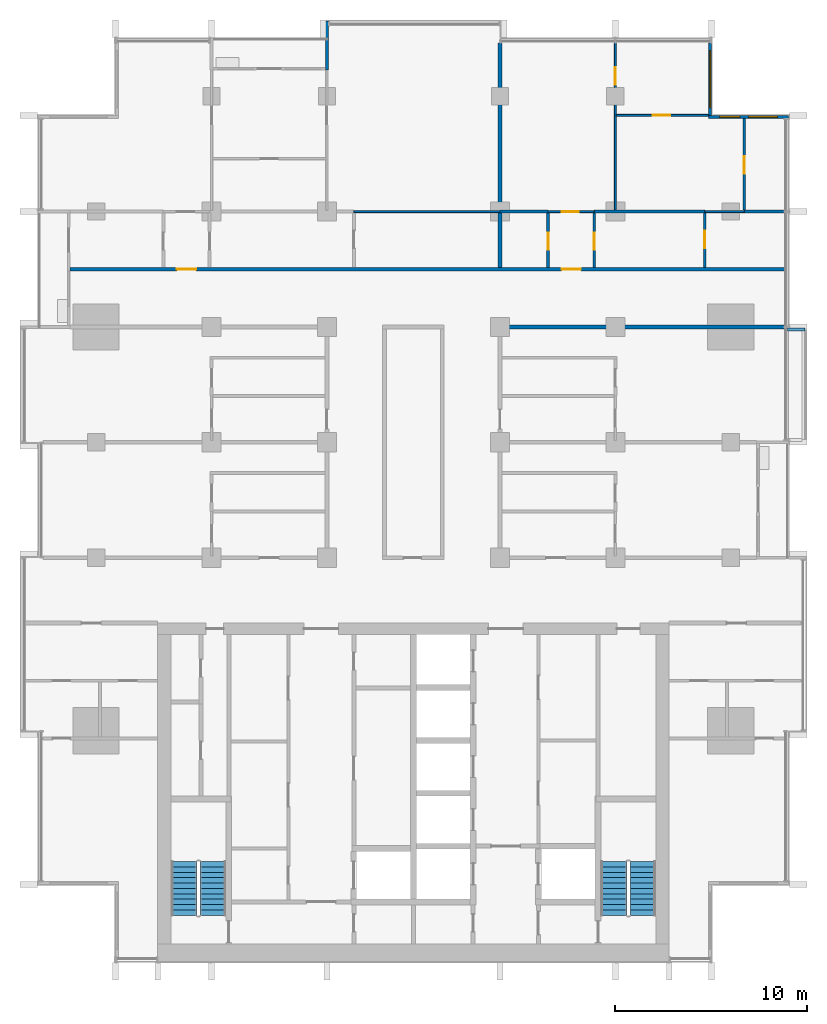
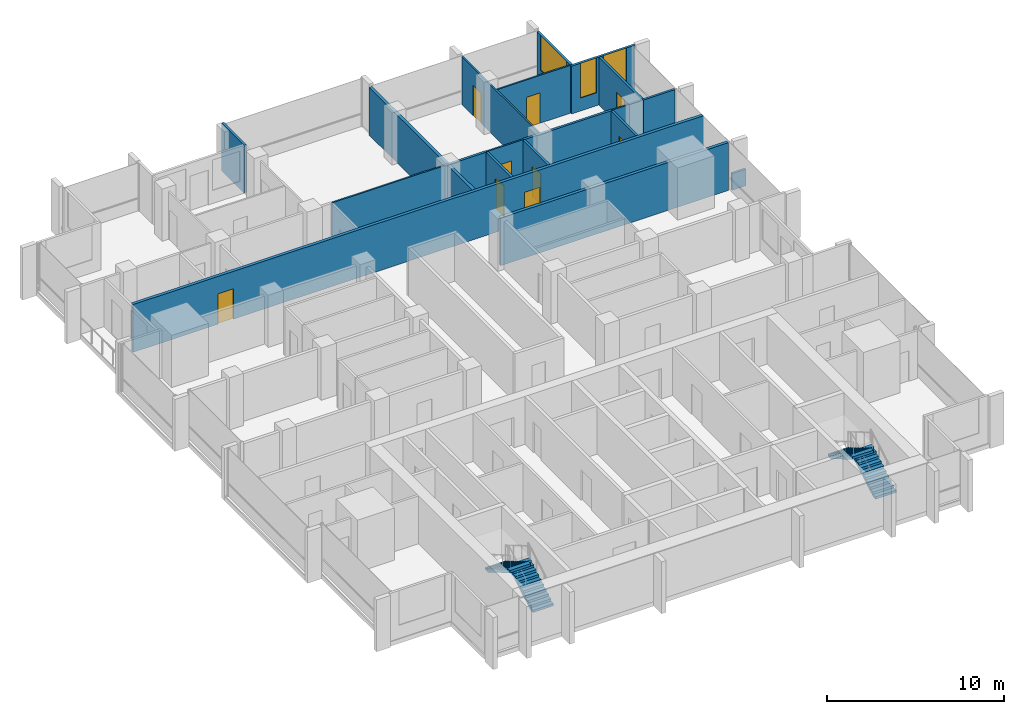
# One storey, part 11 of 16: 20 walls, 9 doors, 4 stair flights, 3 windows, 12 openings, 2 elements without a shape of their own.
"""IFC4 building model written with IfcOpenShell, lengths in metres."""

import ifcopenshell
import ifcopenshell.guid

model = None  # the IFC model being written
_history = None  # IfcOwnerHistory: only IFC2X3 demands one
_inside = {}  # id of a spatial element -> (the spatial element, [elements in it])
_under = {}  # id of a project, library or spatial element -> (it, [spatial elements below it])
_declared = {}  # id of a project -> (the project, [libraries it declares])
_typed = {}  # id of a type object -> (the type object, [elements of that type])
_made_of = {}  # id of a material, layer set ... -> (it, [elements and type objects made of it])


def new_model(schema):
    """Start an empty IFC model of exactly this schema.

    Asked for "IFC4X3", IfcOpenShell would pick the latest addendum, in which some entities
    have other attributes; the version numbers below select the first issue.
    IFC2X3 requires an IfcOwnerHistory on every rooted entity: one is made here for all.
    """
    global model, _history
    if schema == "IFC4X3":
        model = ifcopenshell.file(schema_version=(4, 3, 0, 0))
    else:
        model = ifcopenshell.file(schema=schema)
    _inside.clear()
    _under.clear()
    _declared.clear()
    _typed.clear()
    _made_of.clear()
    _history = None
    if model.schema == "IFC2X3":
        org = make("IfcOrganization", Name="unknown")
        user = make(
            "IfcPersonAndOrganization",
            ThePerson=make("IfcPerson", FamilyName="unknown"),
            TheOrganization=org,
        )
        app = make(
            "IfcApplication",
            ApplicationDeveloper=org,
            Version="unknown",
            ApplicationFullName="unknown",
            ApplicationIdentifier="unknown",
        )
        _history = make(
            "IfcOwnerHistory",
            OwningUser=user,
            OwningApplication=app,
            ChangeAction="ADDED",
            CreationDate=0,
        )
    return model


def make(cls, **values):
    """One entity of the class cls with the attributes given. An attribute that is None is left unset."""
    return model.create_entity(
        cls, **{name: value for name, value in values.items() if value is not None}
    )


def rooted(cls, **values):
    """An entity with a GlobalId (a new one), such as an element, a storey or a relation."""
    return make(cls, GlobalId=ifcopenshell.guid.new(), OwnerHistory=_history, **values)


def si_unit(unit_type, name, prefix=None):
    """IfcSIUnit, for example si_unit("LENGTHUNIT", "METRE", prefix="MILLI")."""
    return make("IfcSIUnit", UnitType=unit_type, Prefix=prefix, Name=name)


def assignment(units):
    """IfcUnitAssignment: the units of a project."""
    return None if units is None else make("IfcUnitAssignment", Units=units)


def point(xyz):
    """IfcCartesianPoint."""
    return None if xyz is None else make("IfcCartesianPoint", Coordinates=xyz)


def direction(xyz):
    """IfcDirection."""
    return None if xyz is None else make("IfcDirection", DirectionRatios=xyz)


def frame(location, z_axis=None, x_axis=None):
    """IfcAxis2Placement3D, a coordinate frame: its origin and axes. An axis left out is left unset."""
    return make(
        "IfcAxis2Placement3D",
        Location=point(location),
        Axis=direction(z_axis),
        RefDirection=direction(x_axis),
    )


def frame_2d(location, x_axis=None):
    """IfcAxis2Placement2D, a coordinate frame in the plane: its origin and x axis."""
    return make(
        "IfcAxis2Placement2D", Location=point(location), RefDirection=direction(x_axis)
    )


def origin():
    """The frame at (0, 0, 0) with its axes left unset."""
    return frame((0.0, 0.0, 0.0))


def place(relative_to, where):
    """IfcLocalPlacement: puts the frame where relative to a parent placement (None: the world)."""
    return make(
        "IfcLocalPlacement", PlacementRelTo=relative_to, RelativePlacement=where
    )


def context(
    kind, dimensions, precision=None, world=None, true_north=None, identifier=None
):
    """IfcGeometricRepresentationContext, for example the 3D "Model" context."""
    return make(
        "IfcGeometricRepresentationContext",
        ContextIdentifier=identifier,
        ContextType=kind,
        CoordinateSpaceDimension=dimensions,
        Precision=precision,
        WorldCoordinateSystem=world,
        TrueNorth=true_north,
    )


def subcontext(parent, identifier, kind, view, scale=None):
    """IfcGeometricRepresentationSubContext, for example "Body" below "Model"."""
    return make(
        "IfcGeometricRepresentationSubContext",
        ContextIdentifier=identifier,
        ContextType=kind,
        ParentContext=parent,
        TargetScale=scale,
        TargetView=view,
    )


def project(units=None, contexts=None):
    """IfcProject with its units and contexts."""
    return rooted(
        "IfcProject",
        Name="project",
        RepresentationContexts=contexts,
        UnitsInContext=assignment(units),
    )


def spatial(cls, under=None, at=None, **own):
    """A site, building, storey or space (cls), placed at a placement, below another one or the project."""
    s = rooted(cls, ObjectPlacement=at, **own)
    if under is not None:
        _under.setdefault(under.id(), (under, []))[1].append(s)
    return s


def polyline(points):
    """IfcPolyline through the points."""
    return make("IfcPolyline", Points=[point(p) for p in points])


def profile(cls, at=None, kind="AREA", **sizes):
    """A parametric profile (cls). Its sizes go by their IFC names, for example OverallWidth=200.0."""
    return make(cls, ProfileType=kind, Position=at, **sizes)


def rectangle(**sizes):
    """IfcRectangleProfileDef."""
    return profile("IfcRectangleProfileDef", **sizes)


def outline(outer, holes=None, kind="AREA"):
    """IfcArbitraryClosedProfileDef: a profile drawn as a closed curve; with holes, ...WithVoids."""
    if holes is None:
        return make("IfcArbitraryClosedProfileDef", ProfileType=kind, OuterCurve=outer)
    return make(
        "IfcArbitraryProfileDefWithVoids",
        ProfileType=kind,
        OuterCurve=outer,
        InnerCurves=holes,
    )


def extrude(swept, where, along, depth):
    """IfcExtrudedAreaSolid: the profile swept, set in the frame where, extruded along a direction by depth."""
    return make(
        "IfcExtrudedAreaSolid",
        SweptArea=swept,
        Position=where,
        ExtrudedDirection=direction(along),
        Depth=depth,
    )


def shape(context_of_items, identifier, shape_type, items):
    """IfcShapeRepresentation: the items that make up one representation, for example the "Body"."""
    return make(
        "IfcShapeRepresentation",
        ContextOfItems=context_of_items,
        RepresentationIdentifier=identifier,
        RepresentationType=shape_type,
        Items=items,
    )


def material(Name=None, Category=None):
    """IfcMaterial."""
    return make("IfcMaterial", Name=Name, Category=Category)


def layer(
    of_material, thickness, ventilated=None, Name=None, Category=None, Priority=None
):
    """IfcMaterialLayer: one layer of a wall or slab, of a material (None: an air gap)."""
    return make(
        "IfcMaterialLayer",
        Material=of_material,
        LayerThickness=thickness,
        IsVentilated=ventilated,
        Name=Name,
        Category=Category,
        Priority=Priority,
    )


def layer_set(layers, Name=None):
    """IfcMaterialLayerSet."""
    return make("IfcMaterialLayerSet", MaterialLayers=layers, LayerSetName=Name)


def made_of(thing, what):
    """Note that an element or type object is made of a material, layer set ...; save() writes the relation."""
    if what is not None:
        _made_of.setdefault(what.id(), (what, []))[1].append(thing)
    return thing


def type_object(cls, material=None, **own):
    """A type object (cls), such as IfcWallType, which elements share."""
    return made_of(rooted(cls, **own), material)


def element(
    cls,
    number,
    at=None,
    inside=None,
    cuts=None,
    type_object=None,
    material=None,
    context=None,
    identifier="Body",
    shape_type=None,
    held_by="IfcProductDefinitionShape",
    body=None,
    shapes=None,
    **own,
):
    """One element of the class cls, such as IfcWall. Its Tag is "e" and its number.

    at: its placement. inside: the storey or other place that contains it. cuts: it is an
    opening in that element (IfcRelVoidsElement). A single representation is given by context,
    identifier, shape_type and body (its items); several are given by shapes. held_by: the class
    of the entity that holds the representations. save() writes the other relations.
    """
    e = rooted(cls, Tag="e%d" % number, ObjectPlacement=at, **own)
    if body is not None:
        shapes = [shape(context, identifier, shape_type, body)]
    if shapes is not None:
        e.Representation = make(held_by, Representations=shapes)
    if inside is not None:
        _inside.setdefault(inside.id(), (inside, []))[1].append(e)
    if cuts is not None:
        rooted(
            "IfcRelVoidsElement", RelatingBuildingElement=cuts, RelatedOpeningElement=e
        )
    if type_object is not None:
        _typed.setdefault(type_object.id(), (type_object, []))[1].append(e)
    return made_of(e, material)


def fill(opening, filler):
    """IfcRelFillsElement: the door or window that sits in an opening."""
    return rooted(
        "IfcRelFillsElement",
        RelatingOpeningElement=opening,
        RelatedBuildingElement=filler,
    )


def aggregate(whole, parts):
    """IfcRelAggregates: a whole, such as a stair, and the parts it consists of."""
    return rooted("IfcRelAggregates", RelatingObject=whole, RelatedObjects=parts)


def save(model, path):
    """Write the relations noted so far, then the file.

    IfcRelAggregates (storeys below a building ...), IfcRelContainedInSpatialStructure (elements
    in a storey), IfcRelDefinesByType, IfcRelAssociatesMaterial and IfcRelDeclares: one each for
    every whole, place, type object, material and project.
    """
    for whole, parts in _under.values():
        aggregate(whole, parts)
    for where, things in _inside.values():
        rooted(
            "IfcRelContainedInSpatialStructure",
            RelatedElements=things,
            RelatingStructure=where,
        )
    for kind, things in _typed.values():
        rooted("IfcRelDefinesByType", RelatedObjects=things, RelatingType=kind)
    for what, things in _made_of.values():
        rooted("IfcRelAssociatesMaterial", RelatedObjects=things, RelatingMaterial=what)
    for by, libraries in _declared.values():
        rooted("IfcRelDeclares", RelatingContext=by, RelatedDefinitions=libraries)
    model.write(path)


model = new_model("IFC4")

# Units and contexts
model_context = context("Model", 3, precision=1e-05, world=origin(), true_north=direction((0.0, 1.0)))
body_context = subcontext(model_context, "Body", "Model", "MODEL_VIEW")
ifc_project = project(units=[si_unit("LENGTHUNIT", "METRE"), si_unit("AREAUNIT", "SQUARE_METRE"), si_unit("VOLUMEUNIT", "CUBIC_METRE"), si_unit("PLANEANGLEUNIT", "RADIAN"), si_unit("MASSUNIT", "GRAM", prefix="KILO")], contexts=[model_context])

# Site, building, storey
site_placement = place(None, origin())
site = spatial("IfcSite", under=ifc_project, at=site_placement, CompositionType="ELEMENT")
building_placement = place(site_placement, origin())
building = spatial("IfcBuilding", under=site, at=building_placement, Name="Finial Court Residences", CompositionType="ELEMENT")
storey_placement = place(building_placement, frame((0.0, 0.0, 163.699951171875)))
storey = spatial("IfcBuildingStorey", under=building, at=storey_placement, Name="L40", CompositionType="ELEMENT", Elevation=163.699951171875)

# Walls
ifc_material_1 = material(Name="Gypsum board")
ifc_layer_1 = layer(ifc_material_1, 0.02490234375)
ifc_material_2 = material(Name="Acoustic mineral wool in double frame")
ifc_layer_2 = layer(ifc_material_2, 0.14990234375)
ifc_layer_3 = layer(ifc_material_1, 0.02490234375)
ifc_layer_set_1 = layer_set([ifc_layer_1, ifc_layer_2, ifc_layer_3], Name="Acoustic party wall 200, 1 hour")
wall_type_1 = type_object("IfcWallType", Name="Acoustic party wall 200, 1 hour", PredefinedType="PARTITIONING", material=ifc_layer_set_1)
wall_1_placement = place(storey_placement, frame((4.5, 10.60009765625, 0.0), z_axis=(0.0, 0.0, 1.0), x_axis=(0.0, 1.0, 0.0)))
element("IfcWall", 1, at=wall_1_placement, inside=storey, type_object=wall_type_1, Name="Partition L40-048", PredefinedType="PARTITIONING", context=body_context, shape_type="SweptSolid", body=[
    extrude(rectangle(XDim=2.824951171875, YDim=0.199951171875, at=frame_2d((1.41259765625, 0.0))), origin(), (0.0, 0.0, 1.0), 3.300048828125),
])
wall_2_placement = place(storey_placement, frame((4.5, 13.574951171875, 0.0), z_axis=(0.0, 0.0, 1.0), x_axis=(0.0, 1.0, 0.0)))
element("IfcWall", 2, at=wall_2_placement, inside=storey, type_object=wall_type_1, Name="Partition L40-049", PredefinedType="PARTITIONING", context=body_context, shape_type="SweptSolid", body=[
    extrude(rectangle(XDim=8.6875, YDim=0.199951171875, at=frame_2d((4.34375, 0.0))), origin(), (0.0, 0.0, 1.0), 3.300048828125),
])
ifc_layer_4 = layer(ifc_material_1, 0.02490234375)
ifc_layer_5 = layer(ifc_material_2, 0.14990234375)
ifc_layer_6 = layer(ifc_material_1, 0.02490234375)
ifc_layer_set_2 = layer_set([ifc_layer_4, ifc_layer_5, ifc_layer_6], Name="Corridor wall 200, 1 hour")
wall_type_2 = type_object("IfcWallType", Name="Corridor wall 200, 1 hour", PredefinedType="PARTITIONING", material=ifc_layer_set_2)
wall_3_placement = place(storey_placement, frame((4.39990234375, 7.5, 0.0), z_axis=(0.0, 0.0, 1.0), x_axis=(1.0, 0.0, 0.0)))
element("IfcWall", 3, at=wall_3_placement, inside=storey, type_object=wall_type_2, Name="Partition L40-021", PredefinedType="PARTITIONING", context=body_context, shape_type="SweptSolid", body=[
    extrude(rectangle(XDim=14.862548828125, YDim=0.199951171875, at=frame_2d((7.43115234375, 0.0))), origin(), (0.0, 0.0, 1.0), 3.300048828125),
])

# Wall, openings, doors
wall_4_placement = place(storey_placement, frame((-17.85009765625, 10.5, 0.0), z_axis=(0.0, 0.0, 1.0), x_axis=(1.0, 0.0, 0.0)))
wall_4 = element("IfcWall", 4, at=wall_4_placement, inside=storey, type_object=wall_type_2, Name="Partition L40-022", PredefinedType="PARTITIONING", context=body_context, shape_type="SweptSolid", body=[
    extrude(rectangle(XDim=37.2001953125, YDim=0.199951171875, at=frame_2d((18.60009765625, 0.0))), origin(), (0.0, 0.0, 1.0), 3.300048828125),
])
opening_1_placement = place(wall_4_placement, frame((5.550048828125, 0.0, 0.0)))
opening_1 = element("IfcOpeningElement", 5, at=opening_1_placement, cuts=wall_4, Name="Opening L40-D012", PredefinedType="OPENING", context=body_context, shape_type="SweptSolid", body=[
    extrude(rectangle(XDim=1.0, YDim=2.10009765625, at=frame_2d((0.5, 1.050048828125))), frame((0.0, 0.10986328125, 0.0), z_axis=(0.0, -1.0, 0.0), x_axis=(1.0, 0.0, 0.0)), (0.0, 0.0, 1.0), 0.219970703125),
])
opening_2_placement = place(wall_4_placement, frame((25.550048828125, 0.0, 0.0)))
opening_2 = element("IfcOpeningElement", 6, at=opening_2_placement, cuts=wall_4, Name="Opening L40-D013", PredefinedType="OPENING", context=body_context, shape_type="SweptSolid", body=[
    extrude(rectangle(XDim=1.0, YDim=2.10009765625, at=frame_2d((0.5, 1.050048828125))), frame((0.0, 0.10986328125, 0.0), z_axis=(0.0, -1.0, 0.0), x_axis=(1.0, 0.0, 0.0)), (0.0, 0.0, 1.0), 0.219970703125),
])
ifc_material_3 = material(Name="Timber door leaf in hollow metal frame", Category="wood")
door_type_1 = type_object("IfcDoorType", Name="Fire door set 1000 x 2100, 30 minutes", OperationType="SINGLE_SWING_LEFT", PredefinedType="DOOR", material=ifc_material_3)
door_1_placement = place(opening_1_placement, origin())
door_1 = element("IfcDoor", 7, at=door_1_placement, inside=storey, type_object=door_type_1, Name="Door L40-D012", OperationType="SINGLE_SWING_RIGHT", OverallHeight=2.10009765625, OverallWidth=1.0, PredefinedType="DOOR", context=body_context, shape_type="SweptSolid", body=[
    extrude(rectangle(XDim=1.0, YDim=2.10009765625, at=frame_2d((0.5, 1.050048828125))), frame((0.0, 0.02490234375, 0.0), z_axis=(0.0, -1.0, 0.0), x_axis=(1.0, 0.0, 0.0)), (0.0, 0.0, 1.0), 0.050048828125),
])
fill(opening_1, door_1)
door_2_placement = place(opening_2_placement, origin())
door_2 = element("IfcDoor", 8, at=door_2_placement, inside=storey, type_object=door_type_1, Name="Door L40-D013", OperationType="SINGLE_SWING_LEFT", OverallHeight=2.10009765625, OverallWidth=1.0, PredefinedType="DOOR", context=body_context, shape_type="SweptSolid", body=[
    extrude(rectangle(XDim=1.0, YDim=2.10009765625, at=frame_2d((0.5, 1.050048828125))), frame((0.0, 0.02490234375, 0.0), z_axis=(0.0, -1.0, 0.0), x_axis=(1.0, 0.0, 0.0)), (0.0, 0.0, 1.0), 0.050048828125),
])
fill(opening_2, door_2)

# Wall
ifc_layer_7 = layer(ifc_material_1, 0.012451171875)
ifc_material_4 = material(Name="Mineral wool in light-gauge frame")
ifc_layer_8 = layer(ifc_material_4, 0.074951171875)
ifc_layer_9 = layer(ifc_material_1, 0.012451171875)
ifc_layer_set_3 = layer_set([ifc_layer_7, ifc_layer_8, ifc_layer_9], Name="Gypsum board partition 100")
wall_type_3 = type_object("IfcWallType", Name="Gypsum board partition 100", PredefinedType="PARTITIONING", material=ifc_layer_set_3)
wall_5_placement = place(storey_placement, frame((-3.10009765625, 13.5, 0.0), z_axis=(0.0, 0.0, 1.0), x_axis=(1.0, 0.0, 0.0)))
element("IfcWall", 9, at=wall_5_placement, inside=storey, type_object=wall_type_3, Name="Partition L40-024", PredefinedType="PARTITIONING", context=body_context, shape_type="SweptSolid", body=[
    extrude(rectangle(XDim=7.60009765625, YDim=0.10009765625, at=frame_2d((3.800048828125, 0.0))), origin(), (0.0, 0.0, 1.0), 3.300048828125),
])

# Wall, opening, door
wall_6_placement = place(storey_placement, frame((7.0, 13.5, 0.0), z_axis=(0.0, 0.0, 1.0), x_axis=(1.0, 0.0, 0.0)))
wall_6 = element("IfcWall", 10, at=wall_6_placement, inside=storey, type_object=wall_type_3, Name="Partition L40-025", PredefinedType="PARTITIONING", context=body_context, shape_type="SweptSolid", body=[
    extrude(rectangle(XDim=2.39990234375, YDim=0.10009765625, at=frame_2d((1.199951171875, 0.0))), origin(), (0.0, 0.0, 1.0), 3.300048828125),
])
opening_3_placement = place(wall_6_placement, frame((0.699951171875, 0.0, 0.0)))
opening_3 = element("IfcOpeningElement", 11, at=opening_3_placement, cuts=wall_6, Name="Opening L40-D015", PredefinedType="OPENING", context=body_context, shape_type="SweptSolid", body=[
    extrude(rectangle(XDim=0.89990234375, YDim=2.10009765625, at=frame_2d((0.449951171875, 1.050048828125))), frame((0.0, 0.06005859375, 0.0), z_axis=(0.0, -1.0, 0.0), x_axis=(1.0, 0.0, 0.0)), (0.0, 0.0, 1.0), 0.1201171875),
])
ifc_material_5 = material(Name="Timber door leaf in timber frame", Category="wood")
door_type_2 = type_object("IfcDoorType", Name="Door set 900 x 2100", OperationType="SINGLE_SWING_LEFT", PredefinedType="DOOR", material=ifc_material_5)
door_3_placement = place(opening_3_placement, origin())
door_3 = element("IfcDoor", 12, at=door_3_placement, inside=storey, type_object=door_type_2, Name="Door L40-D015", OperationType="SINGLE_SWING_LEFT", OverallHeight=2.10009765625, OverallWidth=0.89990234375, PredefinedType="DOOR", context=body_context, shape_type="SweptSolid", body=[
    extrude(rectangle(XDim=0.89990234375, YDim=2.10009765625, at=frame_2d((0.449951171875, 1.050048828125))), frame((0.0, 0.02490234375, 0.0), z_axis=(0.0, -1.0, 0.0), x_axis=(1.0, 0.0, 0.0)), (0.0, 0.0, 1.0), 0.050048828125),
])
fill(opening_3, door_3)

# Wall
wall_7_placement = place(storey_placement, frame((15.14990234375, 13.5, 0.0), z_axis=(0.0, 0.0, 1.0), x_axis=(1.0, 0.0, 0.0)))
element("IfcWall", 13, at=wall_7_placement, inside=storey, type_object=wall_type_3, Name="Partition L40-026", PredefinedType="PARTITIONING", context=body_context, shape_type="SweptSolid", body=[
    extrude(rectangle(XDim=2.050048828125, YDim=0.10009765625, at=frame_2d((1.02490234375, 0.0))), origin(), (0.0, 0.0, 1.0), 3.300048828125),
])

# Wall, opening, door
wall_8_placement = place(storey_placement, frame((10.550048828125, 18.5, 0.0), z_axis=(0.0, 0.0, 1.0), x_axis=(1.0, 0.0, 0.0)))
wall_8 = element("IfcWall", 14, at=wall_8_placement, inside=storey, type_object=wall_type_3, Name="Partition L40-033", PredefinedType="PARTITIONING", context=body_context, shape_type="SweptSolid", body=[
    extrude(rectangle(XDim=4.800048828125, YDim=0.10009765625, at=frame_2d((2.39990234375, 0.0))), origin(), (0.0, 0.0, 1.0), 3.300048828125),
])
opening_4_placement = place(wall_8_placement, frame((1.89990234375, 0.0, 0.0)))
opening_4 = element("IfcOpeningElement", 15, at=opening_4_placement, cuts=wall_8, Name="Opening L40-D017", PredefinedType="OPENING", context=body_context, shape_type="SweptSolid", body=[
    extrude(rectangle(XDim=0.89990234375, YDim=2.10009765625, at=frame_2d((0.449951171875, 1.050048828125))), frame((0.0, 0.06005859375, 0.0), z_axis=(0.0, -1.0, 0.0), x_axis=(1.0, 0.0, 0.0)), (0.0, 0.0, 1.0), 0.1201171875),
])
door_4_placement = place(opening_4_placement, origin())
door_4 = element("IfcDoor", 16, at=door_4_placement, inside=storey, type_object=door_type_2, Name="Door L40-D017", OperationType="SINGLE_SWING_RIGHT", OverallHeight=2.10009765625, OverallWidth=0.89990234375, PredefinedType="DOOR", context=body_context, shape_type="SweptSolid", body=[
    extrude(rectangle(XDim=0.89990234375, YDim=2.10009765625, at=frame_2d((0.449951171875, 1.050048828125))), frame((0.0, 0.02490234375, 0.0), z_axis=(0.0, -1.0, 0.0), x_axis=(1.0, 0.0, 0.0)), (0.0, 0.0, 1.0), 0.050048828125),
])
fill(opening_4, door_4)

wall_9_placement = place(storey_placement, frame((10.5, 13.574951171875, 0.0), z_axis=(0.0, 0.0, 1.0), x_axis=(0.0, 1.0, 0.0)))
wall_9 = element("IfcWall", 17, at=wall_9_placement, inside=storey, type_object=wall_type_3, Name="Partition L40-054", PredefinedType="PARTITIONING", context=body_context, shape_type="SweptSolid", body=[
    extrude(rectangle(XDim=8.6875, YDim=0.10009765625, at=frame_2d((4.34375, 0.0))), origin(), (0.0, 0.0, 1.0), 3.300048828125),
])
opening_5_placement = place(wall_9_placement, frame((6.52490234375, 0.0, 0.0)))
opening_5 = element("IfcOpeningElement", 18, at=opening_5_placement, cuts=wall_9, Name="Opening L40-D033", PredefinedType="OPENING", context=body_context, shape_type="SweptSolid", body=[
    extrude(rectangle(XDim=0.89990234375, YDim=2.10009765625, at=frame_2d((0.449951171875, 1.050048828125))), frame((0.0, 0.06005859375, 0.0), z_axis=(0.0, -1.0, 0.0), x_axis=(1.0, 0.0, 0.0)), (0.0, 0.0, 1.0), 0.1201171875),
])
door_5_placement = place(opening_5_placement, origin())
door_5 = element("IfcDoor", 19, at=door_5_placement, inside=storey, type_object=door_type_2, Name="Door L40-D033", OperationType="SINGLE_SWING_RIGHT", OverallHeight=2.10009765625, OverallWidth=0.89990234375, PredefinedType="DOOR", context=body_context, shape_type="SweptSolid", body=[
    extrude(rectangle(XDim=0.89990234375, YDim=2.10009765625, at=frame_2d((0.449951171875, 1.050048828125))), frame((0.0, 0.02490234375, 0.0), z_axis=(0.0, -1.0, 0.0), x_axis=(1.0, 0.0, 0.0)), (0.0, 0.0, 1.0), 0.050048828125),
])
fill(opening_5, door_5)

# Walls
ifc_material_6 = material(Name="Moisture-resistant gypsum board")
ifc_layer_10 = layer(ifc_material_6, 0.012451171875)
ifc_layer_11 = layer(ifc_material_4, 0.125)
ifc_layer_12 = layer(ifc_material_6, 0.012451171875)
ifc_layer_set_4 = layer_set([ifc_layer_10, ifc_layer_11, ifc_layer_12], Name="Gypsum board wet-area partition 150")
wall_type_4 = type_object("IfcWallType", Name="Gypsum board wet-area partition 150", PredefinedType="PARTITIONING", material=ifc_layer_set_4)
wall_10_placement = place(storey_placement, frame((4.5, 13.5, 0.0), z_axis=(0.0, 0.0, 1.0), x_axis=(1.0, 0.0, 0.0)))
element("IfcWall", 20, at=wall_10_placement, inside=storey, type_object=wall_type_4, Name="Partition L40-029", PredefinedType="PARTITIONING", context=body_context, shape_type="SweptSolid", body=[
    extrude(rectangle(XDim=2.5, YDim=0.14990234375, at=frame_2d((1.25, 0.0))), origin(), (0.0, 0.0, 1.0), 3.300048828125),
])
wall_11_placement = place(storey_placement, frame((9.39990234375, 13.5, 0.0), z_axis=(0.0, 0.0, 1.0), x_axis=(1.0, 0.0, 0.0)))
element("IfcWall", 21, at=wall_11_placement, inside=storey, type_object=wall_type_4, Name="Partition L40-030", PredefinedType="PARTITIONING", context=body_context, shape_type="SweptSolid", body=[
    extrude(rectangle(XDim=5.75, YDim=0.14990234375, at=frame_2d((2.875, 0.0))), origin(), (0.0, 0.0, 1.0), 3.300048828125),
])
wall_12_placement = place(storey_placement, frame((17.199951171875, 13.5, 0.0), z_axis=(0.0, 0.0, 1.0), x_axis=(1.0, 0.0, 0.0)))
element("IfcWall", 22, at=wall_12_placement, inside=storey, type_object=wall_type_4, Name="Partition L40-031", PredefinedType="PARTITIONING", context=body_context, shape_type="SweptSolid", body=[
    extrude(rectangle(XDim=2.0625, YDim=0.14990234375, at=frame_2d((1.03125, 0.0))), origin(), (0.0, 0.0, 1.0), 3.300048828125),
])

# Wall, opening, door
wall_13_placement = place(storey_placement, frame((7.0, 10.60009765625, 0.0), z_axis=(0.0, 0.0, 1.0), x_axis=(0.0, 1.0, 0.0)))
wall_13 = element("IfcWall", 23, at=wall_13_placement, inside=storey, type_object=wall_type_4, Name="Partition L40-050", PredefinedType="PARTITIONING", context=body_context, shape_type="SweptSolid", body=[
    extrude(rectangle(XDim=2.824951171875, YDim=0.14990234375, at=frame_2d((1.41259765625, 0.0))), origin(), (0.0, 0.0, 1.0), 3.300048828125),
])
opening_6_placement = place(wall_13_placement, frame((0.89990234375, 0.0, 0.0)))
opening_6 = element("IfcOpeningElement", 24, at=opening_6_placement, cuts=wall_13, Name="Opening L40-D029", PredefinedType="OPENING", context=body_context, shape_type="SweptSolid", body=[
    extrude(rectangle(XDim=0.89990234375, YDim=2.10009765625, at=frame_2d((0.449951171875, 1.050048828125))), frame((0.0, 0.0849609375, 0.0), z_axis=(0.0, -1.0, 0.0), x_axis=(1.0, 0.0, 0.0)), (0.0, 0.0, 1.0), 0.169921875),
])
door_6_placement = place(opening_6_placement, origin())
door_6 = element("IfcDoor", 25, at=door_6_placement, inside=storey, type_object=door_type_2, Name="Door L40-D029", OperationType="SINGLE_SWING_LEFT", OverallHeight=2.10009765625, OverallWidth=0.89990234375, PredefinedType="DOOR", context=body_context, shape_type="SweptSolid", body=[
    extrude(rectangle(XDim=0.89990234375, YDim=2.10009765625, at=frame_2d((0.449951171875, 1.050048828125))), frame((0.0, 0.02490234375, 0.0), z_axis=(0.0, -1.0, 0.0), x_axis=(1.0, 0.0, 0.0)), (0.0, 0.0, 1.0), 0.050048828125),
])
fill(opening_6, door_6)

wall_14_placement = place(storey_placement, frame((9.39990234375, 10.60009765625, 0.0), z_axis=(0.0, 0.0, 1.0), x_axis=(0.0, 1.0, 0.0)))
wall_14 = element("IfcWall", 26, at=wall_14_placement, inside=storey, type_object=wall_type_4, Name="Partition L40-051", PredefinedType="PARTITIONING", context=body_context, shape_type="SweptSolid", body=[
    extrude(rectangle(XDim=2.824951171875, YDim=0.14990234375, at=frame_2d((1.41259765625, 0.0))), origin(), (0.0, 0.0, 1.0), 3.300048828125),
])
opening_7_placement = place(wall_14_placement, frame((0.89990234375, 0.0, 0.0)))
opening_7 = element("IfcOpeningElement", 27, at=opening_7_placement, cuts=wall_14, Name="Opening L40-D030", PredefinedType="OPENING", context=body_context, shape_type="SweptSolid", body=[
    extrude(rectangle(XDim=0.89990234375, YDim=2.10009765625, at=frame_2d((0.449951171875, 1.050048828125))), frame((0.0, 0.0849609375, 0.0), z_axis=(0.0, -1.0, 0.0), x_axis=(1.0, 0.0, 0.0)), (0.0, 0.0, 1.0), 0.169921875),
])
door_7_placement = place(opening_7_placement, origin())
door_7 = element("IfcDoor", 28, at=door_7_placement, inside=storey, type_object=door_type_2, Name="Door L40-D030", OperationType="SINGLE_SWING_RIGHT", OverallHeight=2.10009765625, OverallWidth=0.89990234375, PredefinedType="DOOR", context=body_context, shape_type="SweptSolid", body=[
    extrude(rectangle(XDim=0.89990234375, YDim=2.10009765625, at=frame_2d((0.449951171875, 1.050048828125))), frame((0.0, 0.02490234375, 0.0), z_axis=(0.0, -1.0, 0.0), x_axis=(1.0, 0.0, 0.0)), (0.0, 0.0, 1.0), 0.050048828125),
])
fill(opening_7, door_7)

wall_15_placement = place(storey_placement, frame((15.14990234375, 10.60009765625, 0.0), z_axis=(0.0, 0.0, 1.0), x_axis=(0.0, 1.0, 0.0)))
wall_15 = element("IfcWall", 29, at=wall_15_placement, inside=storey, type_object=wall_type_4, Name="Partition L40-057", PredefinedType="PARTITIONING", context=body_context, shape_type="SweptSolid", body=[
    extrude(rectangle(XDim=2.824951171875, YDim=0.14990234375, at=frame_2d((1.41259765625, 0.0))), origin(), (0.0, 0.0, 1.0), 3.300048828125),
])
opening_8_placement = place(wall_15_placement, frame((1.0, 0.0, 0.0)))
opening_8 = element("IfcOpeningElement", 30, at=opening_8_placement, cuts=wall_15, Name="Opening L40-D036", PredefinedType="OPENING", context=body_context, shape_type="SweptSolid", body=[
    extrude(rectangle(XDim=0.89990234375, YDim=2.10009765625, at=frame_2d((0.449951171875, 1.050048828125))), frame((0.0, 0.0849609375, 0.0), z_axis=(0.0, -1.0, 0.0), x_axis=(1.0, 0.0, 0.0)), (0.0, 0.0, 1.0), 0.169921875),
])
door_8_placement = place(opening_8_placement, origin())
door_8 = element("IfcDoor", 31, at=door_8_placement, inside=storey, type_object=door_type_2, Name="Door L40-D036", OperationType="SINGLE_SWING_LEFT", OverallHeight=2.10009765625, OverallWidth=0.89990234375, PredefinedType="DOOR", context=body_context, shape_type="SweptSolid", body=[
    extrude(rectangle(XDim=0.89990234375, YDim=2.10009765625, at=frame_2d((0.449951171875, 1.050048828125))), frame((0.0, 0.02490234375, 0.0), z_axis=(0.0, -1.0, 0.0), x_axis=(1.0, 0.0, 0.0)), (0.0, 0.0, 1.0), 0.050048828125),
])
fill(opening_8, door_8)

wall_16_placement = place(storey_placement, frame((17.199951171875, 13.574951171875, 0.0), z_axis=(0.0, 0.0, 1.0), x_axis=(0.0, 1.0, 0.0)))
wall_16 = element("IfcWall", 32, at=wall_16_placement, inside=storey, type_object=wall_type_4, Name="Partition L40-059", PredefinedType="PARTITIONING", context=body_context, shape_type="SweptSolid", body=[
    extrude(rectangle(XDim=4.775146484375, YDim=0.14990234375, at=frame_2d((2.3876953125, 0.0))), origin(), (0.0, 0.0, 1.0), 3.300048828125),
])
opening_9_placement = place(wall_16_placement, frame((1.89990234375, 0.0, 0.0)))
opening_9 = element("IfcOpeningElement", 33, at=opening_9_placement, cuts=wall_16, Name="Opening L40-D037", PredefinedType="OPENING", context=body_context, shape_type="SweptSolid", body=[
    extrude(rectangle(XDim=0.89990234375, YDim=2.10009765625, at=frame_2d((0.449951171875, 1.050048828125))), frame((0.0, 0.0849609375, 0.0), z_axis=(0.0, -1.0, 0.0), x_axis=(1.0, 0.0, 0.0)), (0.0, 0.0, 1.0), 0.169921875),
])
door_9_placement = place(opening_9_placement, origin())
door_9 = element("IfcDoor", 34, at=door_9_placement, inside=storey, type_object=door_type_2, Name="Door L40-D037", OperationType="SINGLE_SWING_LEFT", OverallHeight=2.10009765625, OverallWidth=0.89990234375, PredefinedType="DOOR", context=body_context, shape_type="SweptSolid", body=[
    extrude(rectangle(XDim=0.89990234375, YDim=2.10009765625, at=frame_2d((0.449951171875, 1.050048828125))), frame((0.0, 0.02490234375, 0.0), z_axis=(0.0, -1.0, 0.0), x_axis=(1.0, 0.0, 0.0)), (0.0, 0.0, 1.0), 0.050048828125),
])
fill(opening_9, door_9)

# Wall
ifc_material_7 = material(Name="Concrete C35/45", Category="concrete")
ifc_layer_13 = layer(ifc_material_7, 0.14990234375)
ifc_layer_set_5 = layer_set([ifc_layer_13], Name="Ledge parapet, Concrete C35/45 150")
wall_type_5 = type_object("IfcWallType", Name="Ledge parapet, Concrete C35/45 150", PredefinedType="PARAPET", material=ifc_layer_set_5)
wall_17_placement = place(storey_placement, frame((19.447509765625, 7.375, 0.0), z_axis=(0.0, 0.0, 1.0), x_axis=(1.0, 0.0, 0.0)))
element("IfcWall", 35, at=wall_17_placement, inside=storey, type_object=wall_type_5, Name="E-L40-LED1-P1", PredefinedType="PARAPET", context=body_context, shape_type="SweptSolid", body=[
    extrude(rectangle(XDim=0.902587890625, YDim=0.14990234375, at=frame_2d((0.451171875, 0.0))), origin(), (0.0, 0.0, 1.0), 1.150146484375),
])

# Wall, opening, window
ifc_material_8 = material(Name="Natural limestone", Category="masonry")
ifc_layer_14 = layer(ifc_material_8, 0.14990234375)
ifc_layer_set_6 = layer_set([ifc_layer_14], Name="Limestone clad wall 150")
wall_type_6 = type_object("IfcWallType", Name="Limestone clad wall 150", PredefinedType="SOLIDWALL", material=ifc_layer_set_6)
wall_18_placement = place(storey_placement, frame((15.425048828125, 22.262451171875, 0.0), z_axis=(0.0, 0.0, 1.0), x_axis=(0.0, -1.0, 0.0)))
wall_18 = element("IfcWall", 36, at=wall_18_placement, inside=storey, type_object=wall_type_6, Name="E-L40-NWE20", PredefinedType="SOLIDWALL", context=body_context, shape_type="SweptSolid", body=[
    extrude(rectangle(XDim=3.762451171875, YDim=0.14990234375, at=frame_2d((1.88134765625, 0.0))), origin(), (0.0, 0.0, 1.0), 3.300048828125),
])
opening_10_placement = place(wall_18_placement, frame((0.401123046875, 0.0, 0.89990234375)))
opening_10 = element("IfcOpeningElement", 37, at=opening_10_placement, cuts=wall_18, Name="Opening WE40-07", PredefinedType="OPENING", context=body_context, shape_type="SweptSolid", body=[
    extrude(rectangle(XDim=2.9599609375, YDim=2.39990234375, at=frame_2d((1.47998046875, 1.199951171875))), frame((0.0, 0.0849609375, 0.0), z_axis=(0.0, -1.0, 0.0), x_axis=(1.0, 0.0, 0.0)), (0.0, 0.0, 1.0), 0.169921875),
])
ifc_material_9 = material(Name="Clear low-e glass", Category="glass")
window_type_1 = type_object("IfcWindowType", Name="Corner window 2960 x 2400", PartitioningType="SINGLE_PANEL", PredefinedType="WINDOW", material=ifc_material_9)
window_1_placement = place(opening_10_placement, origin())
window_1 = element("IfcWindow", 38, at=window_1_placement, inside=storey, type_object=window_type_1, Name="E-L40-NWE20-W1", OverallHeight=2.39990234375, OverallWidth=2.9599609375, PartitioningType="SINGLE_PANEL", PredefinedType="WINDOW", context=body_context, shape_type="SweptSolid", body=[
    extrude(rectangle(XDim=2.9599609375, YDim=2.39990234375, at=frame_2d((1.47998046875, 1.199951171875))), frame((0.0, 0.030029296875, 0.0), z_axis=(0.0, -1.0, 0.0), x_axis=(1.0, 0.0, 0.0)), (0.0, 0.0, 1.0), 0.06005859375),
])
fill(opening_10, window_1)

# Wall, openings, windows
wall_19_placement = place(storey_placement, frame((15.35009765625, 18.425048828125, 0.0), z_axis=(0.0, 0.0, 1.0), x_axis=(1.0, 0.0, 0.0)))
wall_19 = element("IfcWall", 39, at=wall_19_placement, inside=storey, type_object=wall_type_6, Name="E-L40-NWN21", PredefinedType="SOLIDWALL", context=body_context, shape_type="SweptSolid", body=[
    extrude(rectangle(XDim=4.14990234375, YDim=0.14990234375, at=frame_2d((2.074951171875, 0.0))), origin(), (0.0, 0.0, 1.0), 3.300048828125),
])
opening_11_placement = place(wall_19_placement, frame((0.574951171875, 0.0, 0.89990234375)))
opening_11 = element("IfcOpeningElement", 40, at=opening_11_placement, cuts=wall_19, Name="Opening WE40-08", PredefinedType="OPENING", context=body_context, shape_type="SweptSolid", body=[
    extrude(rectangle(XDim=1.050048828125, YDim=2.39990234375, at=frame_2d((0.52490234375, 1.199951171875))), frame((0.0, 0.0849609375, 0.0), z_axis=(0.0, -1.0, 0.0), x_axis=(1.0, 0.0, 0.0)), (0.0, 0.0, 1.0), 0.169921875),
])
opening_12_placement = place(wall_19_placement, frame((2.074951171875, 0.0, 0.89990234375)))
opening_12 = element("IfcOpeningElement", 41, at=opening_12_placement, cuts=wall_19, Name="Opening WE40-09", PredefinedType="OPENING", context=body_context, shape_type="SweptSolid", body=[
    extrude(rectangle(XDim=1.5, YDim=2.39990234375, at=frame_2d((0.75, 1.199951171875))), frame((0.0, 0.0849609375, 0.0), z_axis=(0.0, -1.0, 0.0), x_axis=(1.0, 0.0, 0.0)), (0.0, 0.0, 1.0), 0.169921875),
])
window_type_2 = type_object("IfcWindowType", Name="Corner window 1050 x 2400", PartitioningType="SINGLE_PANEL", PredefinedType="WINDOW", material=ifc_material_9)
window_2_placement = place(opening_11_placement, origin())
window_2 = element("IfcWindow", 42, at=window_2_placement, inside=storey, type_object=window_type_2, Name="E-L40-NWN21-W1", OverallHeight=2.39990234375, OverallWidth=1.050048828125, PartitioningType="SINGLE_PANEL", PredefinedType="WINDOW", context=body_context, shape_type="SweptSolid", body=[
    extrude(rectangle(XDim=1.050048828125, YDim=2.39990234375, at=frame_2d((0.52490234375, 1.199951171875))), frame((0.0, 0.030029296875, 0.0), z_axis=(0.0, -1.0, 0.0), x_axis=(1.0, 0.0, 0.0)), (0.0, 0.0, 1.0), 0.06005859375),
])
fill(opening_11, window_2)
window_type_3 = type_object("IfcWindowType", Name="Corner window 1500 x 2400", PartitioningType="SINGLE_PANEL", PredefinedType="WINDOW", material=ifc_material_9)
window_3_placement = place(opening_12_placement, origin())
window_3 = element("IfcWindow", 43, at=window_3_placement, inside=storey, type_object=window_type_3, Name="E-L40-NWN21-W2", OverallHeight=2.39990234375, OverallWidth=1.5, PartitioningType="SINGLE_PANEL", PredefinedType="WINDOW", context=body_context, shape_type="SweptSolid", body=[
    extrude(rectangle(XDim=1.5, YDim=2.39990234375, at=frame_2d((0.75, 1.199951171875))), frame((0.0, 0.030029296875, 0.0), z_axis=(0.0, -1.0, 0.0), x_axis=(1.0, 0.0, 0.0)), (0.0, 0.0, 1.0), 0.06005859375),
])
fill(opening_12, window_3)

# Wall
wall_20_placement = place(storey_placement, frame((-4.5, 20.85009765625, 0.0), z_axis=(0.0, 0.0, 1.0), x_axis=(0.0, 1.0, 0.0)))
element("IfcWall", 44, at=wall_20_placement, inside=storey, type_object=wall_type_6, Name="E-L40-BALN2-P2", PredefinedType="SOLIDWALL", context=body_context, shape_type="SweptSolid", body=[
    extrude(rectangle(XDim=2.5498046875, YDim=0.14990234375, at=frame_2d((1.27490234375, 0.0))), origin(), (0.0, 0.0, 1.0), 3.300048828125),
])

# Stair, stair flights
ifc_material_10 = material(Name="Concrete C50/60", Category="concrete")
stair_type = type_object("IfcStairType", Name="Exit stair 22 risers of 163.6 mm", PredefinedType="HALF_TURN_STAIR", material=ifc_material_10)
stair_1_placement = place(storey_placement, origin())
stair_1 = element("IfcStair", 45, at=stair_1_placement, inside=storey, type_object=stair_type, Name="L40 Exit stair ST-1", PredefinedType="HALF_TURN_STAIR")
stair_flight_type = type_object("IfcStairFlightType", Name="Exit stair flight", PredefinedType="STRAIGHT", material=ifc_material_10)
stair_flight_1_placement = place(storey_placement, frame((-10.425048828125, -23.10009765625, 0.0), z_axis=(0.0, 0.0, 1.0), x_axis=(0.0, 1.0, 0.0)))
stair_flight_1 = element("IfcStairFlight", 46, at=stair_flight_1_placement, type_object=stair_flight_type, Name="ST-1 flight 1", NumberOfRisers=11, NumberOfTreads=10, PredefinedType="STRAIGHT", RiserHeight=0.163636364, TreadLength=0.28, context=body_context, shape_type="SweptSolid", body=[
    extrude(outline(polyline([(0.0, 0.0), (0.0, 0.16357421875), (0.280029296875, 0.16357421875), (0.280029296875, 0.327392578125), (0.56005859375, 0.327392578125), (0.56005859375, 0.490966796875), (0.840087890625, 0.490966796875), (0.840087890625, 0.654541015625), (1.1201171875, 0.654541015625), (1.1201171875, 0.818115234375), (1.39990234375, 0.818115234375), (1.39990234375, 0.98193359375), (1.679931640625, 0.98193359375), (1.679931640625, 1.1455078125), (1.9599609375, 1.1455078125), (1.9599609375, 1.30908203125), (2.239990234375, 1.30908203125), (2.239990234375, 1.47265625), (2.52001953125, 1.47265625), (2.52001953125, 1.636474609375), (2.800048828125, 1.636474609375), (2.800048828125, 1.800048828125), (2.800048828125, 1.462646484375), (0.297119140625, 0.0), (0.0, 0.0)])), frame((0.0, 0.675048828125, 0.0), z_axis=(0.0, -1.0, 0.0), x_axis=(1.0, 0.0, 0.0)), (0.0, 0.0, 1.0), 1.35009765625),
])
stair_flight_2_placement = place(storey_placement, frame((-11.925048828125, -20.300048828125, 1.800048828125), z_axis=(0.0, 0.0, 1.0), x_axis=(0.0, -1.0, 0.0)))
stair_flight_2 = element("IfcStairFlight", 47, at=stair_flight_2_placement, type_object=stair_flight_type, Name="ST-1 flight 2", NumberOfRisers=11, NumberOfTreads=10, PredefinedType="STRAIGHT", RiserHeight=0.163636364, TreadLength=0.28, context=body_context, shape_type="SweptSolid", body=[
    extrude(outline(polyline([(0.0, 0.0), (0.0, 0.16357421875), (0.280029296875, 0.16357421875), (0.280029296875, 0.327392578125), (0.56005859375, 0.327392578125), (0.56005859375, 0.490966796875), (0.840087890625, 0.490966796875), (0.840087890625, 0.654541015625), (1.1201171875, 0.654541015625), (1.1201171875, 0.818115234375), (1.39990234375, 0.818115234375), (1.39990234375, 0.98193359375), (1.679931640625, 0.98193359375), (1.679931640625, 1.1455078125), (1.9599609375, 1.1455078125), (1.9599609375, 1.30908203125), (2.239990234375, 1.30908203125), (2.239990234375, 1.47265625), (2.52001953125, 1.47265625), (2.52001953125, 1.636474609375), (2.800048828125, 1.636474609375), (2.800048828125, 1.800048828125), (2.800048828125, 1.462646484375), (0.297119140625, 0.0), (0.0, 0.0)])), frame((0.0, 0.675048828125, 0.0), z_axis=(0.0, -1.0, 0.0), x_axis=(1.0, 0.0, 0.0)), (0.0, 0.0, 1.0), 1.35009765625),
])
aggregate(stair_1, [stair_flight_1, stair_flight_2])

stair_2_placement = place(storey_placement, origin())
stair_2 = element("IfcStair", 48, at=stair_2_placement, inside=storey, type_object=stair_type, Name="L40 Exit stair ST-2", PredefinedType="HALF_TURN_STAIR")
stair_flight_3_placement = place(storey_placement, frame((11.925048828125, -23.10009765625, 0.0), z_axis=(0.0, 0.0, 1.0), x_axis=(0.0, 1.0, 0.0)))
stair_flight_3 = element("IfcStairFlight", 49, at=stair_flight_3_placement, type_object=stair_flight_type, Name="ST-2 flight 1", NumberOfRisers=11, NumberOfTreads=10, PredefinedType="STRAIGHT", RiserHeight=0.163636364, TreadLength=0.28, context=body_context, shape_type="SweptSolid", body=[
    extrude(outline(polyline([(0.0, 0.0), (0.0, 0.16357421875), (0.280029296875, 0.16357421875), (0.280029296875, 0.327392578125), (0.56005859375, 0.327392578125), (0.56005859375, 0.490966796875), (0.840087890625, 0.490966796875), (0.840087890625, 0.654541015625), (1.1201171875, 0.654541015625), (1.1201171875, 0.818115234375), (1.39990234375, 0.818115234375), (1.39990234375, 0.98193359375), (1.679931640625, 0.98193359375), (1.679931640625, 1.1455078125), (1.9599609375, 1.1455078125), (1.9599609375, 1.30908203125), (2.239990234375, 1.30908203125), (2.239990234375, 1.47265625), (2.52001953125, 1.47265625), (2.52001953125, 1.636474609375), (2.800048828125, 1.636474609375), (2.800048828125, 1.800048828125), (2.800048828125, 1.462646484375), (0.297119140625, 0.0), (0.0, 0.0)])), frame((0.0, 0.675048828125, 0.0), z_axis=(0.0, -1.0, 0.0), x_axis=(1.0, 0.0, 0.0)), (0.0, 0.0, 1.0), 1.35009765625),
])
stair_flight_4_placement = place(storey_placement, frame((10.425048828125, -20.300048828125, 1.800048828125), z_axis=(0.0, 0.0, 1.0), x_axis=(0.0, -1.0, 0.0)))
stair_flight_4 = element("IfcStairFlight", 50, at=stair_flight_4_placement, type_object=stair_flight_type, Name="ST-2 flight 2", NumberOfRisers=11, NumberOfTreads=10, PredefinedType="STRAIGHT", RiserHeight=0.163636364, TreadLength=0.28, context=body_context, shape_type="SweptSolid", body=[
    extrude(outline(polyline([(0.0, 0.0), (0.0, 0.16357421875), (0.280029296875, 0.16357421875), (0.280029296875, 0.327392578125), (0.56005859375, 0.327392578125), (0.56005859375, 0.490966796875), (0.840087890625, 0.490966796875), (0.840087890625, 0.654541015625), (1.1201171875, 0.654541015625), (1.1201171875, 0.818115234375), (1.39990234375, 0.818115234375), (1.39990234375, 0.98193359375), (1.679931640625, 0.98193359375), (1.679931640625, 1.1455078125), (1.9599609375, 1.1455078125), (1.9599609375, 1.30908203125), (2.239990234375, 1.30908203125), (2.239990234375, 1.47265625), (2.52001953125, 1.47265625), (2.52001953125, 1.636474609375), (2.800048828125, 1.636474609375), (2.800048828125, 1.800048828125), (2.800048828125, 1.462646484375), (0.297119140625, 0.0), (0.0, 0.0)])), frame((0.0, 0.675048828125, 0.0), z_axis=(0.0, -1.0, 0.0), x_axis=(1.0, 0.0, 0.0)), (0.0, 0.0, 1.0), 1.35009765625),
])
aggregate(stair_2, [stair_flight_3, stair_flight_4])

save(model, "model.ifc")
